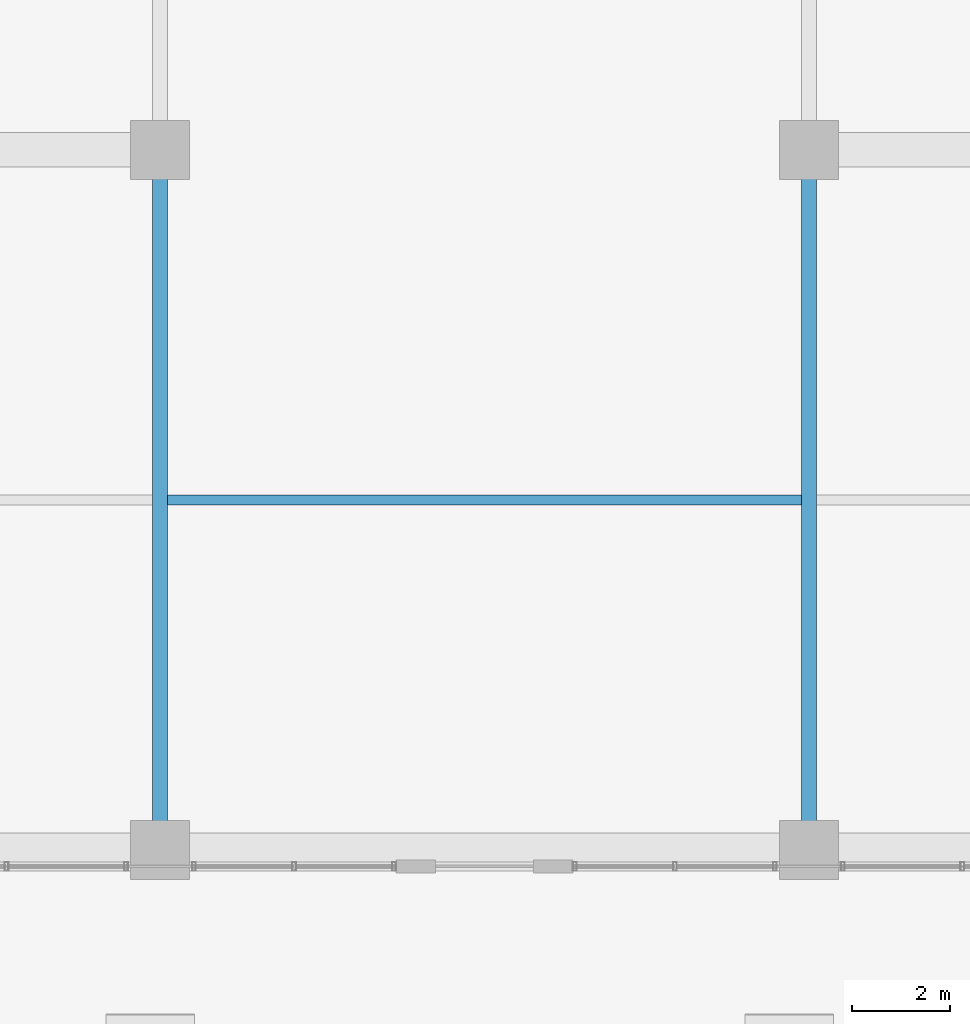
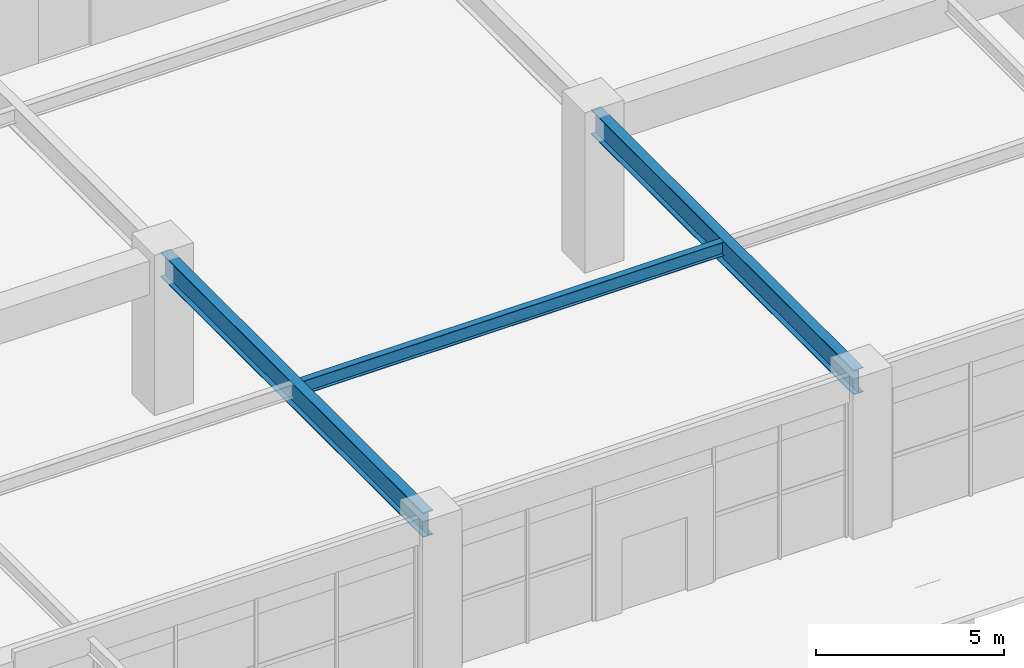
# One storey, part 11 of 40: 3 beams.
"""IFC4 building model written with IfcOpenShell, lengths in metres."""

import ifcopenshell
import ifcopenshell.guid

model = None  # the IFC model being written
_history = None  # IfcOwnerHistory: only IFC2X3 demands one
_inside = {}  # id of a spatial element -> (the spatial element, [elements in it])
_under = {}  # id of a project, library or spatial element -> (it, [spatial elements below it])
_declared = {}  # id of a project -> (the project, [libraries it declares])
_typed = {}  # id of a type object -> (the type object, [elements of that type])
_made_of = {}  # id of a material, layer set ... -> (it, [elements and type objects made of it])


def new_model(schema):
    """Start an empty IFC model of exactly this schema.

    Asked for "IFC4X3", IfcOpenShell would pick the latest addendum, in which some entities
    have other attributes; the version numbers below select the first issue.
    IFC2X3 requires an IfcOwnerHistory on every rooted entity: one is made here for all.
    """
    global model, _history
    if schema == "IFC4X3":
        model = ifcopenshell.file(schema_version=(4, 3, 0, 0))
    else:
        model = ifcopenshell.file(schema=schema)
    _inside.clear()
    _under.clear()
    _declared.clear()
    _typed.clear()
    _made_of.clear()
    _history = None
    if model.schema == "IFC2X3":
        org = make("IfcOrganization", Name="unknown")
        user = make(
            "IfcPersonAndOrganization",
            ThePerson=make("IfcPerson", FamilyName="unknown"),
            TheOrganization=org,
        )
        app = make(
            "IfcApplication",
            ApplicationDeveloper=org,
            Version="unknown",
            ApplicationFullName="unknown",
            ApplicationIdentifier="unknown",
        )
        _history = make(
            "IfcOwnerHistory",
            OwningUser=user,
            OwningApplication=app,
            ChangeAction="ADDED",
            CreationDate=0,
        )
    return model


def make(cls, **values):
    """One entity of the class cls with the attributes given. An attribute that is None is left unset."""
    return model.create_entity(
        cls, **{name: value for name, value in values.items() if value is not None}
    )


def rooted(cls, **values):
    """An entity with a GlobalId (a new one), such as an element, a storey or a relation."""
    return make(cls, GlobalId=ifcopenshell.guid.new(), OwnerHistory=_history, **values)


def si_unit(unit_type, name, prefix=None):
    """IfcSIUnit, for example si_unit("LENGTHUNIT", "METRE", prefix="MILLI")."""
    return make("IfcSIUnit", UnitType=unit_type, Prefix=prefix, Name=name)


def assignment(units):
    """IfcUnitAssignment: the units of a project."""
    return None if units is None else make("IfcUnitAssignment", Units=units)


def point(xyz):
    """IfcCartesianPoint."""
    return None if xyz is None else make("IfcCartesianPoint", Coordinates=xyz)


def direction(xyz):
    """IfcDirection."""
    return None if xyz is None else make("IfcDirection", DirectionRatios=xyz)


def frame(location, z_axis=None, x_axis=None):
    """IfcAxis2Placement3D, a coordinate frame: its origin and axes. An axis left out is left unset."""
    return make(
        "IfcAxis2Placement3D",
        Location=point(location),
        Axis=direction(z_axis),
        RefDirection=direction(x_axis),
    )


def frame_2d(location, x_axis=None):
    """IfcAxis2Placement2D, a coordinate frame in the plane: its origin and x axis."""
    return make(
        "IfcAxis2Placement2D", Location=point(location), RefDirection=direction(x_axis)
    )


def origin():
    """The frame at (0, 0, 0) with its axes left unset."""
    return frame((0.0, 0.0, 0.0))


def origin_2d():
    """The frame at (0, 0) in the plane with its x axis left unset."""
    return frame_2d((0.0, 0.0))


def place(relative_to, where):
    """IfcLocalPlacement: puts the frame where relative to a parent placement (None: the world)."""
    return make(
        "IfcLocalPlacement", PlacementRelTo=relative_to, RelativePlacement=where
    )


def context(
    kind, dimensions, precision=None, world=None, true_north=None, identifier=None
):
    """IfcGeometricRepresentationContext, for example the 3D "Model" context."""
    return make(
        "IfcGeometricRepresentationContext",
        ContextIdentifier=identifier,
        ContextType=kind,
        CoordinateSpaceDimension=dimensions,
        Precision=precision,
        WorldCoordinateSystem=world,
        TrueNorth=true_north,
    )


def subcontext(parent, identifier, kind, view, scale=None):
    """IfcGeometricRepresentationSubContext, for example "Body" below "Model"."""
    return make(
        "IfcGeometricRepresentationSubContext",
        ContextIdentifier=identifier,
        ContextType=kind,
        ParentContext=parent,
        TargetScale=scale,
        TargetView=view,
    )


def project(units=None, contexts=None):
    """IfcProject with its units and contexts."""
    return rooted(
        "IfcProject",
        Name="project",
        RepresentationContexts=contexts,
        UnitsInContext=assignment(units),
    )


def spatial(cls, under=None, at=None, **own):
    """A site, building, storey or space (cls), placed at a placement, below another one or the project."""
    s = rooted(cls, ObjectPlacement=at, **own)
    if under is not None:
        _under.setdefault(under.id(), (under, []))[1].append(s)
    return s


def profile(cls, at=None, kind="AREA", **sizes):
    """A parametric profile (cls). Its sizes go by their IFC names, for example OverallWidth=200.0."""
    return make(cls, ProfileType=kind, Position=at, **sizes)


def i_section(**sizes):
    """IfcIShapeProfileDef."""
    return profile("IfcIShapeProfileDef", **sizes)


def extrude(swept, where, along, depth):
    """IfcExtrudedAreaSolid: the profile swept, set in the frame where, extruded along a direction by depth."""
    return make(
        "IfcExtrudedAreaSolid",
        SweptArea=swept,
        Position=where,
        ExtrudedDirection=direction(along),
        Depth=depth,
    )


def shape(context_of_items, identifier, shape_type, items):
    """IfcShapeRepresentation: the items that make up one representation, for example the "Body"."""
    return make(
        "IfcShapeRepresentation",
        ContextOfItems=context_of_items,
        RepresentationIdentifier=identifier,
        RepresentationType=shape_type,
        Items=items,
    )


def source(mapping_origin, context_of_items, identifier, shape_type, items):
    """IfcRepresentationMap: a shape defined once, which mapped items show again and again."""
    return make(
        "IfcRepresentationMap",
        MappingOrigin=mapping_origin,
        MappedRepresentation=shape(context_of_items, identifier, shape_type, items),
    )


def transform(
    local_origin,
    x_axis=None,
    y_axis=None,
    z_axis=None,
    scale=None,
    scale2=None,
    scale3=None,
    uniform=True,
):
    """IfcCartesianTransformationOperator3D, or its non-uniform kind. x_axis, y_axis, z_axis: its Axis1, 2, 3."""
    if uniform:
        return make(
            "IfcCartesianTransformationOperator3D",
            Axis1=direction(x_axis),
            Axis2=direction(y_axis),
            LocalOrigin=point(local_origin),
            Scale=scale,
            Axis3=direction(z_axis),
        )
    return make(
        "IfcCartesianTransformationOperator3DnonUniform",
        Axis1=direction(x_axis),
        Axis2=direction(y_axis),
        LocalOrigin=point(local_origin),
        Scale=scale,
        Axis3=direction(z_axis),
        Scale2=scale2,
        Scale3=scale3,
    )


def mapped(mapping_source, mapping_target):
    """IfcMappedItem: shows the shape of a source again, moved by a transform."""
    return make(
        "IfcMappedItem", MappingSource=mapping_source, MappingTarget=mapping_target
    )


def material(Name=None, Category=None):
    """IfcMaterial."""
    return make("IfcMaterial", Name=Name, Category=Category)


def material_profile(
    of_material, cross_section, Name=None, Category=None, Priority=None
):
    """IfcMaterialProfile: a cross section and its material."""
    return make(
        "IfcMaterialProfile",
        Name=Name,
        Material=of_material,
        Profile=cross_section,
        Priority=Priority,
        Category=Category,
    )


def profile_set(profiles, Name=None, composite=None):
    """IfcMaterialProfileSet."""
    return make(
        "IfcMaterialProfileSet",
        Name=Name,
        MaterialProfiles=profiles,
        CompositeProfile=composite,
    )


def made_of(thing, what):
    """Note that an element or type object is made of a material, layer set ...; save() writes the relation."""
    if what is not None:
        _made_of.setdefault(what.id(), (what, []))[1].append(thing)
    return thing


def type_object(cls, material=None, **own):
    """A type object (cls), such as IfcWallType, which elements share."""
    return made_of(rooted(cls, **own), material)


def element(
    cls,
    number,
    at=None,
    inside=None,
    cuts=None,
    type_object=None,
    material=None,
    context=None,
    identifier="Body",
    shape_type=None,
    held_by="IfcProductDefinitionShape",
    body=None,
    shapes=None,
    **own,
):
    """One element of the class cls, such as IfcWall. Its Tag is "e" and its number.

    at: its placement. inside: the storey or other place that contains it. cuts: it is an
    opening in that element (IfcRelVoidsElement). A single representation is given by context,
    identifier, shape_type and body (its items); several are given by shapes. held_by: the class
    of the entity that holds the representations. save() writes the other relations.
    """
    e = rooted(cls, Tag="e%d" % number, ObjectPlacement=at, **own)
    if body is not None:
        shapes = [shape(context, identifier, shape_type, body)]
    if shapes is not None:
        e.Representation = make(held_by, Representations=shapes)
    if inside is not None:
        _inside.setdefault(inside.id(), (inside, []))[1].append(e)
    if cuts is not None:
        rooted(
            "IfcRelVoidsElement", RelatingBuildingElement=cuts, RelatedOpeningElement=e
        )
    if type_object is not None:
        _typed.setdefault(type_object.id(), (type_object, []))[1].append(e)
    return made_of(e, material)


def aggregate(whole, parts):
    """IfcRelAggregates: a whole, such as a stair, and the parts it consists of."""
    return rooted("IfcRelAggregates", RelatingObject=whole, RelatedObjects=parts)


def save(model, path):
    """Write the relations noted so far, then the file.

    IfcRelAggregates (storeys below a building ...), IfcRelContainedInSpatialStructure (elements
    in a storey), IfcRelDefinesByType, IfcRelAssociatesMaterial and IfcRelDeclares: one each for
    every whole, place, type object, material and project.
    """
    for whole, parts in _under.values():
        aggregate(whole, parts)
    for where, things in _inside.values():
        rooted(
            "IfcRelContainedInSpatialStructure",
            RelatedElements=things,
            RelatingStructure=where,
        )
    for kind, things in _typed.values():
        rooted("IfcRelDefinesByType", RelatedObjects=things, RelatingType=kind)
    for what, things in _made_of.values():
        rooted("IfcRelAssociatesMaterial", RelatedObjects=things, RelatingMaterial=what)
    for by, libraries in _declared.values():
        rooted("IfcRelDeclares", RelatingContext=by, RelatedDefinitions=libraries)
    model.write(path)


model = new_model("IFC4")

# Units and contexts
model_context = context("Model", 3, precision=1e-05, world=origin(), true_north=direction((0.0, 1.0)))
body_context = subcontext(model_context, "Body", "Model", "MODEL_VIEW")
ifc_project = project(units=[si_unit("LENGTHUNIT", "METRE"), si_unit("AREAUNIT", "SQUARE_METRE"), si_unit("VOLUMEUNIT", "CUBIC_METRE"), si_unit("PLANEANGLEUNIT", "RADIAN"), si_unit("MASSUNIT", "GRAM", prefix="KILO")], contexts=[model_context])

# Site, building, storey
site_placement = place(None, origin())
site = spatial("IfcSite", under=ifc_project, at=site_placement, CompositionType="ELEMENT")
building_placement = place(site_placement, origin())
building = spatial("IfcBuilding", under=site, at=building_placement, Name="Trelvane Seafront Commons", CompositionType="ELEMENT")
storey_placement = place(building_placement, origin())
storey = spatial("IfcBuildingStorey", under=building, at=storey_placement, Name="L00", CompositionType="ELEMENT", Elevation=0.0)

# Beams
ifc_material = material(Name="Steel SM355 (S355)", Category="steel")
ifc_material_profile_1 = material_profile(ifc_material, i_section(OverallWidth=0.300048828125, OverallDepth=0.800048828125, WebThickness=0.013916015625, FlangeThickness=0.02587890625, at=origin_2d()), Name="H-800x300x14x26")
ifc_profile_set_1 = profile_set([ifc_material_profile_1], Name="Steel SM355 (S355)")
beam_type_1 = type_object("IfcBeamType", Name="STR-BM-H800", PredefinedType="BEAM", material=ifc_profile_set_1)
shared_shape_1 = source(origin(), body_context, "Body", "SweptSolid", [
    extrude(i_section(OverallWidth=0.300048828125, OverallDepth=0.800048828125, WebThickness=0.013916015625, FlangeThickness=0.02587890625, at=origin_2d()), origin(), (0.0, 0.0, 1.0), 13.949951171875),
])
for number, where, z_axis, x_axis, name in (
    (1, (30.60009765625, 4.10009765625, 4.47998046875), (0.0, 1.0, 0.0), (-1.0, 0.0, 0.0), "L00 Primary Girder G-43"),
    (2, (43.800048828125, 4.10009765625, 4.47998046875), (0.0, 1.0, 0.0), (-1.0, 0.0, 0.0), "L00 Primary Girder G-47"),
):
    element("IfcBeam", number, at=place(storey_placement, frame(where, z_axis=z_axis, x_axis=x_axis)), inside=storey, type_object=beam_type_1, Name=name, PredefinedType="BEAM", context=body_context, shape_type="MappedRepresentation", body=[
        mapped(shared_shape_1, transform((0.0, 0.0, 0.0), x_axis=(1.0, 0.0, 0.0), y_axis=(0.0, 1.0, 0.0), z_axis=(0.0, 0.0, 1.0), scale=1.0)),
    ])
ifc_material_profile_2 = material_profile(ifc_material, i_section(OverallWidth=0.199951171875, OverallDepth=0.449951171875, WebThickness=0.009033203125, FlangeThickness=0.013916015625, at=origin_2d()), Name="H-450x200x9x14")
ifc_profile_set_2 = profile_set([ifc_material_profile_2], Name="Steel SM355 (S355)")
beam_type_2 = type_object("IfcBeamType", Name="STR-JST-H450", PredefinedType="JOIST", material=ifc_profile_set_2)
shared_shape_2 = source(origin(), body_context, "Body", "SweptSolid", [
    extrude(i_section(OverallWidth=0.199951171875, OverallDepth=0.449951171875, WebThickness=0.009033203125, FlangeThickness=0.013916015625, at=origin_2d()), origin(), (0.0, 0.0, 1.0), 12.89990234375),
])
beam_placement = place(storey_placement, frame((30.75, 11.074951171875, 4.655029296875), z_axis=(1.0, 0.0, 0.0), x_axis=(0.0, 1.0, 0.0)))
element("IfcBeam", 3, at=beam_placement, inside=storey, type_object=beam_type_2, Name="L00 Secondary Floor Joist B-62", PredefinedType="JOIST", context=body_context, shape_type="MappedRepresentation", body=[
    mapped(shared_shape_2, transform((0.0, 0.0, 0.0), x_axis=(1.0, 0.0, 0.0), y_axis=(0.0, 1.0, 0.0), z_axis=(0.0, 0.0, 1.0), scale=1.0)),
])

save(model, "model.ifc")
